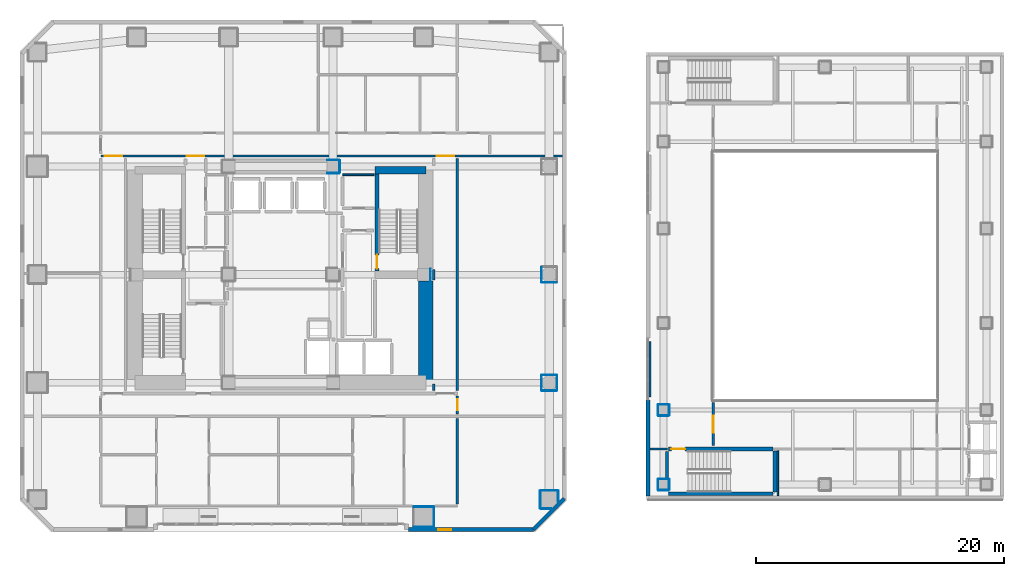
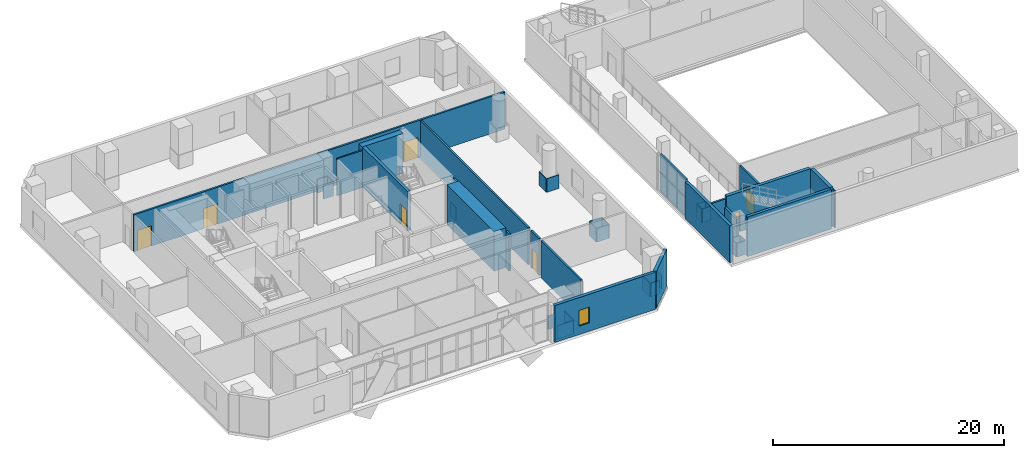
# One storey, part 14 of 20: 46 walls, 7 doors, 1 window, 8 openings.
"""IFC4 building model written with IfcOpenShell, lengths in metres."""

import ifcopenshell
import ifcopenshell.guid

model = None  # the IFC model being written
_history = None  # IfcOwnerHistory: only IFC2X3 demands one
_inside = {}  # id of a spatial element -> (the spatial element, [elements in it])
_under = {}  # id of a project, library or spatial element -> (it, [spatial elements below it])
_declared = {}  # id of a project -> (the project, [libraries it declares])
_typed = {}  # id of a type object -> (the type object, [elements of that type])
_made_of = {}  # id of a material, layer set ... -> (it, [elements and type objects made of it])


def new_model(schema):
    """Start an empty IFC model of exactly this schema.

    Asked for "IFC4X3", IfcOpenShell would pick the latest addendum, in which some entities
    have other attributes; the version numbers below select the first issue.
    IFC2X3 requires an IfcOwnerHistory on every rooted entity: one is made here for all.
    """
    global model, _history
    if schema == "IFC4X3":
        model = ifcopenshell.file(schema_version=(4, 3, 0, 0))
    else:
        model = ifcopenshell.file(schema=schema)
    _inside.clear()
    _under.clear()
    _declared.clear()
    _typed.clear()
    _made_of.clear()
    _history = None
    if model.schema == "IFC2X3":
        org = make("IfcOrganization", Name="unknown")
        user = make(
            "IfcPersonAndOrganization",
            ThePerson=make("IfcPerson", FamilyName="unknown"),
            TheOrganization=org,
        )
        app = make(
            "IfcApplication",
            ApplicationDeveloper=org,
            Version="unknown",
            ApplicationFullName="unknown",
            ApplicationIdentifier="unknown",
        )
        _history = make(
            "IfcOwnerHistory",
            OwningUser=user,
            OwningApplication=app,
            ChangeAction="ADDED",
            CreationDate=0,
        )
    return model


def make(cls, **values):
    """One entity of the class cls with the attributes given. An attribute that is None is left unset."""
    return model.create_entity(
        cls, **{name: value for name, value in values.items() if value is not None}
    )


def rooted(cls, **values):
    """An entity with a GlobalId (a new one), such as an element, a storey or a relation."""
    return make(cls, GlobalId=ifcopenshell.guid.new(), OwnerHistory=_history, **values)


def si_unit(unit_type, name, prefix=None):
    """IfcSIUnit, for example si_unit("LENGTHUNIT", "METRE", prefix="MILLI")."""
    return make("IfcSIUnit", UnitType=unit_type, Prefix=prefix, Name=name)


def assignment(units):
    """IfcUnitAssignment: the units of a project."""
    return None if units is None else make("IfcUnitAssignment", Units=units)


def point(xyz):
    """IfcCartesianPoint."""
    return None if xyz is None else make("IfcCartesianPoint", Coordinates=xyz)


def direction(xyz):
    """IfcDirection."""
    return None if xyz is None else make("IfcDirection", DirectionRatios=xyz)


def frame(location, z_axis=None, x_axis=None):
    """IfcAxis2Placement3D, a coordinate frame: its origin and axes. An axis left out is left unset."""
    return make(
        "IfcAxis2Placement3D",
        Location=point(location),
        Axis=direction(z_axis),
        RefDirection=direction(x_axis),
    )


def frame_2d(location, x_axis=None):
    """IfcAxis2Placement2D, a coordinate frame in the plane: its origin and x axis."""
    return make(
        "IfcAxis2Placement2D", Location=point(location), RefDirection=direction(x_axis)
    )


def origin():
    """The frame at (0, 0, 0) with its axes left unset."""
    return frame((0.0, 0.0, 0.0))


def place(relative_to, where):
    """IfcLocalPlacement: puts the frame where relative to a parent placement (None: the world)."""
    return make(
        "IfcLocalPlacement", PlacementRelTo=relative_to, RelativePlacement=where
    )


def context(
    kind, dimensions, precision=None, world=None, true_north=None, identifier=None
):
    """IfcGeometricRepresentationContext, for example the 3D "Model" context."""
    return make(
        "IfcGeometricRepresentationContext",
        ContextIdentifier=identifier,
        ContextType=kind,
        CoordinateSpaceDimension=dimensions,
        Precision=precision,
        WorldCoordinateSystem=world,
        TrueNorth=true_north,
    )


def subcontext(parent, identifier, kind, view, scale=None):
    """IfcGeometricRepresentationSubContext, for example "Body" below "Model"."""
    return make(
        "IfcGeometricRepresentationSubContext",
        ContextIdentifier=identifier,
        ContextType=kind,
        ParentContext=parent,
        TargetScale=scale,
        TargetView=view,
    )


def project(units=None, contexts=None):
    """IfcProject with its units and contexts."""
    return rooted(
        "IfcProject",
        Name="project",
        RepresentationContexts=contexts,
        UnitsInContext=assignment(units),
    )


def spatial(cls, under=None, at=None, **own):
    """A site, building, storey or space (cls), placed at a placement, below another one or the project."""
    s = rooted(cls, ObjectPlacement=at, **own)
    if under is not None:
        _under.setdefault(under.id(), (under, []))[1].append(s)
    return s


def profile(cls, at=None, kind="AREA", **sizes):
    """A parametric profile (cls). Its sizes go by their IFC names, for example OverallWidth=200.0."""
    return make(cls, ProfileType=kind, Position=at, **sizes)


def rectangle(**sizes):
    """IfcRectangleProfileDef."""
    return profile("IfcRectangleProfileDef", **sizes)


def extrude(swept, where, along, depth):
    """IfcExtrudedAreaSolid: the profile swept, set in the frame where, extruded along a direction by depth."""
    return make(
        "IfcExtrudedAreaSolid",
        SweptArea=swept,
        Position=where,
        ExtrudedDirection=direction(along),
        Depth=depth,
    )


def shape(context_of_items, identifier, shape_type, items):
    """IfcShapeRepresentation: the items that make up one representation, for example the "Body"."""
    return make(
        "IfcShapeRepresentation",
        ContextOfItems=context_of_items,
        RepresentationIdentifier=identifier,
        RepresentationType=shape_type,
        Items=items,
    )


def material(Name=None, Category=None):
    """IfcMaterial."""
    return make("IfcMaterial", Name=Name, Category=Category)


def layer(
    of_material, thickness, ventilated=None, Name=None, Category=None, Priority=None
):
    """IfcMaterialLayer: one layer of a wall or slab, of a material (None: an air gap)."""
    return make(
        "IfcMaterialLayer",
        Material=of_material,
        LayerThickness=thickness,
        IsVentilated=ventilated,
        Name=Name,
        Category=Category,
        Priority=Priority,
    )


def layer_set(layers, Name=None):
    """IfcMaterialLayerSet."""
    return make("IfcMaterialLayerSet", MaterialLayers=layers, LayerSetName=Name)


def made_of(thing, what):
    """Note that an element or type object is made of a material, layer set ...; save() writes the relation."""
    if what is not None:
        _made_of.setdefault(what.id(), (what, []))[1].append(thing)
    return thing


def type_object(cls, material=None, **own):
    """A type object (cls), such as IfcWallType, which elements share."""
    return made_of(rooted(cls, **own), material)


def element(
    cls,
    number,
    at=None,
    inside=None,
    cuts=None,
    type_object=None,
    material=None,
    context=None,
    identifier="Body",
    shape_type=None,
    held_by="IfcProductDefinitionShape",
    body=None,
    shapes=None,
    **own,
):
    """One element of the class cls, such as IfcWall. Its Tag is "e" and its number.

    at: its placement. inside: the storey or other place that contains it. cuts: it is an
    opening in that element (IfcRelVoidsElement). A single representation is given by context,
    identifier, shape_type and body (its items); several are given by shapes. held_by: the class
    of the entity that holds the representations. save() writes the other relations.
    """
    e = rooted(cls, Tag="e%d" % number, ObjectPlacement=at, **own)
    if body is not None:
        shapes = [shape(context, identifier, shape_type, body)]
    if shapes is not None:
        e.Representation = make(held_by, Representations=shapes)
    if inside is not None:
        _inside.setdefault(inside.id(), (inside, []))[1].append(e)
    if cuts is not None:
        rooted(
            "IfcRelVoidsElement", RelatingBuildingElement=cuts, RelatedOpeningElement=e
        )
    if type_object is not None:
        _typed.setdefault(type_object.id(), (type_object, []))[1].append(e)
    return made_of(e, material)


def fill(opening, filler):
    """IfcRelFillsElement: the door or window that sits in an opening."""
    return rooted(
        "IfcRelFillsElement",
        RelatingOpeningElement=opening,
        RelatedBuildingElement=filler,
    )


def aggregate(whole, parts):
    """IfcRelAggregates: a whole, such as a stair, and the parts it consists of."""
    return rooted("IfcRelAggregates", RelatingObject=whole, RelatedObjects=parts)


def save(model, path):
    """Write the relations noted so far, then the file.

    IfcRelAggregates (storeys below a building ...), IfcRelContainedInSpatialStructure (elements
    in a storey), IfcRelDefinesByType, IfcRelAssociatesMaterial and IfcRelDeclares: one each for
    every whole, place, type object, material and project.
    """
    for whole, parts in _under.values():
        aggregate(whole, parts)
    for where, things in _inside.values():
        rooted(
            "IfcRelContainedInSpatialStructure",
            RelatedElements=things,
            RelatingStructure=where,
        )
    for kind, things in _typed.values():
        rooted("IfcRelDefinesByType", RelatedObjects=things, RelatingType=kind)
    for what, things in _made_of.values():
        rooted("IfcRelAssociatesMaterial", RelatedObjects=things, RelatingMaterial=what)
    for by, libraries in _declared.values():
        rooted("IfcRelDeclares", RelatingContext=by, RelatedDefinitions=libraries)
    model.write(path)


model = new_model("IFC4")

# Units and contexts
model_context = context("Model", 3, precision=1e-05, world=origin(), true_north=direction((0.0, 1.0)))
body_context = subcontext(model_context, "Body", "Model", "MODEL_VIEW")
ifc_project = project(units=[si_unit("LENGTHUNIT", "METRE"), si_unit("AREAUNIT", "SQUARE_METRE"), si_unit("VOLUMEUNIT", "CUBIC_METRE"), si_unit("PLANEANGLEUNIT", "RADIAN"), si_unit("MASSUNIT", "GRAM", prefix="KILO")], contexts=[model_context])

# Site, building, storey
site_placement = place(None, origin())
site = spatial("IfcSite", under=ifc_project, at=site_placement, CompositionType="ELEMENT")
building_placement = place(site_placement, origin())
building = spatial("IfcBuilding", under=site, at=building_placement, Name="Solanera Arch Residences", CompositionType="ELEMENT")
storey_placement = place(building_placement, frame((0.0, 0.0, 9.39990234375)))
storey = spatial("IfcBuildingStorey", under=building, at=storey_placement, Name="L02", CompositionType="ELEMENT", Elevation=9.39990234375)

# Walls
ifc_material_1 = material(Name="Fire-Rated Gypsum Stud Partition", Category="gypsum")
ifc_layer_1 = layer(ifc_material_1, 0.06005859375)
ifc_layer_set_1 = layer_set([ifc_layer_1], Name="Fire-Rated Gypsum Stud Partition")
wall_type_1 = type_object("IfcWallType", Name="Column Acoustic Furring Wall 60", PredefinedType="PARTITIONING", material=ifc_layer_set_1)
for number, where, z_axis, x_axis, name in (
    (1, (28.7099609375, 38.867919921875, 0.0), (0.0, 0.0, 1.0), (1.0, 0.0, 0.0), "L02 Column Furring 4S"),
    (2, (28.7099609375, 39.931884765625, 0.0), (0.0, 0.0, 1.0), (1.0, 0.0, 0.0), "L02 Column Furring 4N"),
):
    element("IfcWall", number, at=place(storey_placement, frame(where, z_axis=z_axis, x_axis=x_axis)), inside=storey, type_object=wall_type_1, Name=name, PredefinedType="PARTITIONING", context=body_context, shape_type="SweptSolid", body=[
        extrude(rectangle(XDim=0.989990234375, YDim=0.06005859375, at=frame_2d((0.4951171875, 0.0))), origin(), (0.0, 0.0, 1.0), 1.4501953125),
    ])
wall_1_placement = place(storey_placement, frame((29.73193359375, 38.89990234375, 0.0), z_axis=(0.0, 0.0, 1.0), x_axis=(0.0, 1.0, 0.0)))
element("IfcWall", 3, at=wall_1_placement, inside=storey, type_object=wall_type_1, Name="L02 Column Furring 4E", PredefinedType="PARTITIONING", context=body_context, shape_type="SweptSolid", body=[
    extrude(rectangle(XDim=1.0, YDim=0.06005859375, at=frame_2d((0.5, 0.0))), origin(), (0.0, 0.0, 1.0), 1.4501953125),
])
wall_2_placement = place(storey_placement, frame((37.031982421875, 30.2099609375, 0.0), z_axis=(0.0, 0.0, 1.0), x_axis=(0.0, 1.0, 0.0)))
element("IfcWall", 4, at=wall_2_placement, inside=storey, type_object=wall_type_1, Name="L02 Column Furring 6E", PredefinedType="PARTITIONING", context=body_context, shape_type="SweptSolid", body=[
    extrude(rectangle(XDim=0.97998046875, YDim=0.06005859375, at=frame_2d((0.489990234375, 0.0))), origin(), (0.0, 0.0, 1.0), 1.4501953125),
])
for number, where, z_axis, x_axis, name in (
    (5, (35.699951171875, 10.367919921875, 0.0), (0.0, 0.0, 1.0), (1.0, 0.0, 0.0), "L02 Column Furring 10S"),
    (6, (35.699951171875, 12.031982421875, 0.0), (0.0, 0.0, 1.0), (1.0, 0.0, 0.0), "L02 Column Furring 10N"),
    (7, (37.33203125, 10.39990234375, 0.0), (0.0, 0.0, 1.0), (0.0, 1.0, 0.0), "L02 Column Furring 10E"),
):
    element("IfcWall", number, at=place(storey_placement, frame(where, z_axis=z_axis, x_axis=x_axis)), inside=storey, type_object=wall_type_1, Name=name, PredefinedType="PARTITIONING", context=body_context, shape_type="SweptSolid", body=[
        extrude(rectangle(XDim=1.60009765625, YDim=0.06005859375, at=frame_2d((0.800048828125, 0.0))), origin(), (0.0, 0.0, 1.0), 1.4501953125),
    ])
for number, where, z_axis, x_axis, name in (
    (8, (46.0, 21.367919921875, 0.0), (0.0, 0.0, 1.0), (1.0, 0.0, 0.0), "L02 Column Furring 18S"),
    (9, (46.0, 22.632080078125, 0.0), (0.0, 0.0, 1.0), (1.0, 0.0, 0.0), "L02 Column Furring 18N"),
):
    element("IfcWall", number, at=place(storey_placement, frame(where, z_axis=z_axis, x_axis=x_axis)), inside=storey, type_object=wall_type_1, Name=name, PredefinedType="PARTITIONING", context=body_context, shape_type="SweptSolid", body=[
        extrude(rectangle(XDim=1.199951171875, YDim=0.06005859375, at=frame_2d((0.60009765625, 0.0))), origin(), (0.0, 0.0, 1.0), 1.4501953125),
    ])
for number, where, z_axis, x_axis, name in (
    (10, (45.968017578125, 21.39990234375, 0.0), (0.0, 0.0, 1.0), (0.0, 1.0, 0.0), "L02 Column Furring 18W"),
    (11, (47.23193359375, 21.39990234375, 0.0), (0.0, 0.0, 1.0), (0.0, 1.0, 0.0), "L02 Column Furring 18E"),
):
    element("IfcWall", number, at=place(storey_placement, frame(where, z_axis=z_axis, x_axis=x_axis)), inside=storey, type_object=wall_type_1, Name=name, PredefinedType="PARTITIONING", context=body_context, shape_type="SweptSolid", body=[
        extrude(rectangle(XDim=1.2001953125, YDim=0.06005859375, at=frame_2d((0.60009765625, 0.0))), origin(), (0.0, 0.0, 1.0), 1.4501953125),
    ])
for number, where, z_axis, x_axis, name in (
    (12, (46.0, 30.068115234375, 0.0), (0.0, 0.0, 1.0), (1.0, 0.0, 0.0), "L02 Column Furring 19S"),
    (13, (45.968017578125, 30.10009765625, 0.0), (0.0, 0.0, 1.0), (0.0, 1.0, 0.0), "L02 Column Furring 19W"),
):
    element("IfcWall", number, at=place(storey_placement, frame(where, z_axis=z_axis, x_axis=x_axis)), inside=storey, type_object=wall_type_1, Name=name, PredefinedType="PARTITIONING", context=body_context, shape_type="SweptSolid", body=[
        extrude(rectangle(XDim=1.199951171875, YDim=0.06005859375, at=frame_2d((0.60009765625, 0.0))), origin(), (0.0, 0.0, 1.0), 1.4501953125),
    ])
wall_3_placement = place(storey_placement, frame((45.89990234375, 11.867919921875, 0.0), z_axis=(0.0, 0.0, 1.0), x_axis=(1.0, 0.0, 0.0)))
element("IfcWall", 14, at=wall_3_placement, inside=storey, type_object=wall_type_1, Name="L02 Column Furring 22S", PredefinedType="PARTITIONING", context=body_context, shape_type="SweptSolid", body=[
    extrude(rectangle(XDim=0.861083984375, YDim=0.06005859375, at=frame_2d((0.4306640625, 0.0))), origin(), (0.0, 0.0, 1.0), 1.4501953125),
])
for number, where, z_axis, x_axis, name in (
    (15, (45.89990234375, 13.33203125, 0.0), (0.0, 0.0, 1.0), (1.0, 0.0, 0.0), "L02 Column Furring 22N"),
    (16, (45.867919921875, 11.89990234375, 0.0), (0.0, 0.0, 1.0), (0.0, 1.0, 0.0), "L02 Column Furring 22W"),
):
    element("IfcWall", number, at=place(storey_placement, frame(where, z_axis=z_axis, x_axis=x_axis)), inside=storey, type_object=wall_type_1, Name=name, PredefinedType="PARTITIONING", context=body_context, shape_type="SweptSolid", body=[
        extrude(rectangle(XDim=1.400146484375, YDim=0.06005859375, at=frame_2d((0.7001953125, 0.0))), origin(), (0.0, 0.0, 1.0), 1.4501953125),
    ])
wall_4_placement = place(storey_placement, frame((47.33203125, 12.43896484375, 0.0), z_axis=(0.0, 0.0, 1.0), x_axis=(0.0, 1.0, 0.0)))
element("IfcWall", 17, at=wall_4_placement, inside=storey, type_object=wall_type_1, Name="L02 Column Furring 22E", PredefinedType="PARTITIONING", context=body_context, shape_type="SweptSolid", body=[
    extrude(rectangle(XDim=0.861083984375, YDim=0.06005859375, at=frame_2d((0.4306640625, 0.0))), origin(), (0.0, 0.0, 1.0), 1.4501953125),
])
for number, where, z_axis, x_axis, name in (
    (18, (55.375, 13.343017578125, 0.0), (0.0, 0.0, 1.0), (1.0, 0.0, 0.0), "L02 Column Furring 25S"),
    (19, (55.375, 14.257080078125, 0.0), (0.0, 0.0, 1.0), (1.0, 0.0, 0.0), "L02 Column Furring 25N"),
    (20, (55.343017578125, 13.375, 0.0), (0.0, 0.0, 1.0), (0.0, 1.0, 0.0), "L02 Column Furring 25W"),
    (21, (56.257080078125, 13.375, 0.0), (0.0, 0.0, 1.0), (0.0, 1.0, 0.0), "L02 Column Furring 25E"),
    (22, (55.375, 19.343017578125, 0.0), (0.0, 0.0, 1.0), (1.0, 0.0, 0.0), "L02 Column Furring 26S"),
    (23, (55.375, 20.257080078125, 0.0), (0.0, 0.0, 1.0), (1.0, 0.0, 0.0), "L02 Column Furring 26N"),
    (24, (55.343017578125, 19.375, 0.0), (0.0, 0.0, 1.0), (0.0, 1.0, 0.0), "L02 Column Furring 26W"),
    (25, (56.257080078125, 19.375, 0.0), (0.0, 0.0, 1.0), (0.0, 1.0, 0.0), "L02 Column Furring 26E"),
):
    element("IfcWall", number, at=place(storey_placement, frame(where, z_axis=z_axis, x_axis=x_axis)), inside=storey, type_object=wall_type_1, Name=name, PredefinedType="PARTITIONING", context=body_context, shape_type="SweptSolid", body=[
        extrude(rectangle(XDim=0.85009765625, YDim=0.06005859375, at=frame_2d((0.425048828125, 0.0))), origin(), (0.0, 0.0, 1.0), 1.4501953125),
    ])
ifc_material_2 = material(Name="Concrete C55/67 (f'c = 60 MPa)", Category="concrete")
ifc_layer_2 = layer(ifc_material_2, 1.199951171875)
ifc_layer_set_2 = layer_set([ifc_layer_2], Name="Concrete C55/67 (f'c = 60 MPa)")
wall_type_2 = type_object("IfcWallType", Name="Core Shear Wall CW-1200", PredefinedType="SHEAR", material=ifc_layer_set_2)
wall_5_placement = place(storey_placement, frame((36.659912109375, 22.0, 0.0), z_axis=(0.0, 0.0, 1.0), x_axis=(0.0, 1.0, 0.0)))
element("IfcWall", 26, at=wall_5_placement, inside=storey, type_object=wall_type_2, Name="L02 East Core South Shear Wall", PredefinedType="SHEAR", context=body_context, shape_type="SweptSolid", body=[
    extrude(rectangle(XDim=8.195068359375, YDim=1.199951171875, at=frame_2d((4.09765625, 0.0))), origin(), (0.0, 0.0, 1.0), 4.2001953125),
])

# Wall, opening, door
ifc_material_3 = material(Name="Concrete C40/50 (f'c = 45 MPa)", Category="concrete")
ifc_layer_3 = layer(ifc_material_3, 0.320068359375)
ifc_layer_set_3 = layer_set([ifc_layer_3], Name="Concrete C40/50 (f'c = 45 MPa)")
wall_type_3 = type_object("IfcWallType", Name="Core Shear Wall CW-320", PredefinedType="SHEAR", material=ifc_layer_set_3)
wall_6_placement = place(storey_placement, frame((32.739990234375, 31.0, 0.0), z_axis=(0.0, 0.0, 1.0), x_axis=(0.0, 1.0, 0.0)))
wall_6 = element("IfcWall", 27, at=wall_6_placement, inside=storey, type_object=wall_type_3, Name="L02 Stair ST-T2 West Shear Wall", PredefinedType="SHEAR", context=body_context, shape_type="SweptSolid", body=[
    extrude(rectangle(XDim=7.800048828125, YDim=0.320068359375, at=frame_2d((3.89990234375, 0.0))), origin(), (0.0, 0.0, 1.0), 4.2001953125),
])
opening_1_placement = place(wall_6_placement, frame((0.18994140625, 0.0, 0.0)))
opening_1 = element("IfcOpeningElement", 28, at=opening_1_placement, cuts=wall_6, Name="Opening DF-01", PredefinedType="OPENING", context=body_context, shape_type="SweptSolid", body=[
    extrude(rectangle(XDim=1.10009765625, YDim=2.14990234375, at=frame_2d((0.550048828125, 1.074951171875))), frame((0.0, 0.169921875, 0.0), z_axis=(0.0, -1.0, 0.0), x_axis=(1.0, 0.0, 0.0)), (0.0, 0.0, 1.0), 0.3401),
])
ifc_material_4 = material(Name="Fire-Rated Architectural Hardwood", Category="wood")
door_type_1 = type_object("IfcDoorType", Name="Stair Exit Fire Door DF-01", OperationType="NOTDEFINED", PredefinedType="DOOR", material=ifc_material_4)
door_1_placement = place(opening_1_placement, origin())
door_1 = element("IfcDoor", 29, at=door_1_placement, inside=storey, type_object=door_type_1, Name="DR-L02-STAIR-ST-T2", OperationType="SINGLE_SWING_LEFT", OverallHeight=2.14990234375, OverallWidth=1.10009765625, PredefinedType="DOOR", context=body_context, shape_type="SweptSolid", body=[
    extrude(rectangle(XDim=1.10009765625, YDim=2.14990234375, at=frame_2d((0.550048828125, 1.074951171875))), frame((0.0, 0.02490234375, 0.0), z_axis=(0.0, -1.0, 0.0), x_axis=(1.0, 0.0, 0.0)), (0.0, 0.0, 1.0), 0.050048828125),
])
fill(opening_1, door_1)

# Walls
wall_7_placement = place(storey_placement, frame((64.760009765625, 13.199951171875, 0.0), z_axis=(0.0, 0.0, 1.0), x_axis=(0.0, 1.0, 0.0)))
element("IfcWall", 30, at=wall_7_placement, inside=storey, type_object=wall_type_3, Name="L02 Stair ST-H1 East Shear Wall", PredefinedType="SHEAR", context=body_context, shape_type="SweptSolid", body=[
    extrude(rectangle(XDim=3.320068359375, YDim=0.320068359375, at=frame_2d((1.66015625, 0.0))), origin(), (0.0, 0.0, 1.0), 4.2001953125),
])
wall_8_placement = place(storey_placement, frame((56.199951171875, 13.06005859375, 0.0), z_axis=(0.0, 0.0, 1.0), x_axis=(1.0, 0.0, 0.0)))
element("IfcWall", 31, at=wall_8_placement, inside=storey, type_object=wall_type_3, Name="L02 Stair ST-H1 South Shear Wall", PredefinedType="SHEAR", context=body_context, shape_type="SweptSolid", body=[
    extrude(rectangle(XDim=8.400146484375, YDim=0.280029296875, at=frame_2d((4.2001953125, 0.0))), origin(), (0.0, 0.0, 1.0), 4.2001953125),
])

# Wall, opening, door
wall_9_placement = place(storey_placement, frame((56.199951171875, 16.679931640625, 0.0), z_axis=(0.0, 0.0, 1.0), x_axis=(1.0, 0.0, 0.0)))
wall_9 = element("IfcWall", 32, at=wall_9_placement, inside=storey, type_object=wall_type_3, Name="L02 Stair ST-H1 North Shear Wall", PredefinedType="SHEAR", context=body_context, shape_type="SweptSolid", body=[
    extrude(rectangle(XDim=8.400146484375, YDim=0.320068359375, at=frame_2d((4.2001953125, 0.0))), origin(), (0.0, 0.0, 1.0), 4.2001953125),
])
opening_2_placement = place(wall_9_placement, frame((0.22998046875, 0.0, 0.0)))
opening_2 = element("IfcOpeningElement", 33, at=opening_2_placement, cuts=wall_9, Name="Opening DF-01", PredefinedType="OPENING", context=body_context, shape_type="SweptSolid", body=[
    extrude(rectangle(XDim=1.10009765625, YDim=2.14990234375, at=frame_2d((0.550048828125, 1.074951171875))), frame((0.0, 0.169921875, 0.0), z_axis=(0.0, -1.0, 0.0), x_axis=(1.0, 0.0, 0.0)), (0.0, 0.0, 1.0), 0.3401),
])
door_2_placement = place(opening_2_placement, origin())
door_2 = element("IfcDoor", 34, at=door_2_placement, inside=storey, type_object=door_type_1, Name="DR-L02-STAIR-ST-H1", OperationType="SINGLE_SWING_LEFT", OverallHeight=2.14990234375, OverallWidth=1.10009765625, PredefinedType="DOOR", context=body_context, shape_type="SweptSolid", body=[
    extrude(rectangle(XDim=1.10009765625, YDim=2.14990234375, at=frame_2d((0.550048828125, 1.074951171875))), frame((0.0, 0.02490234375, 0.0), z_axis=(0.0, -1.0, 0.0), x_axis=(1.0, 0.0, 0.0)), (0.0, 0.0, 1.0), 0.050048828125),
])
fill(opening_2, door_2)

# Walls
ifc_material_5 = material(Name="Concrete C40/50 (f'c = 45 MPa)", Category="concrete")
ifc_layer_4 = layer(ifc_material_5, 0.60009765625)
ifc_layer_set_4 = layer_set([ifc_layer_4], Name="Concrete C40/50 (f'c = 45 MPa)")
wall_type_4 = type_object("IfcWallType", Name="Core Shear Wall CW-600", PredefinedType="SHEAR", material=ifc_layer_set_4)
wall_10_placement = place(storey_placement, frame((32.580078125, 39.10009765625, 0.0), z_axis=(0.0, 0.0, 1.0), x_axis=(1.0, 0.0, 0.0)))
element("IfcWall", 35, at=wall_10_placement, inside=storey, type_object=wall_type_4, Name="L02 North-East Core Shear Wall", PredefinedType="SHEAR", context=body_context, shape_type="SweptSolid", body=[
    extrude(rectangle(XDim=4.079833984375, YDim=0.60009765625, at=frame_2d((2.0400390625, 0.0))), origin(), (0.0, 0.0, 1.0), 4.2001953125),
])
ifc_material_6 = material(Name="Autoclaved Aerated Concrete Blockwork", Category="masonry")
ifc_layer_5 = layer(ifc_material_6, 0.179931640625)
ifc_layer_set_5 = layer_set([ifc_layer_5], Name="Autoclaved Aerated Concrete Blockwork")
wall_type_5 = type_object("IfcWallType", Name="Corridor Fire Partition 180", PredefinedType="PARTITIONING", material=ifc_layer_set_5)
wall_11_placement = place(storey_placement, frame((54.7119140625, 16.679931640625, 0.0), z_axis=(0.0, 0.0, 1.0), x_axis=(1.0, 0.0, 0.0)))
element("IfcWall", 36, at=wall_11_placement, inside=storey, type_object=wall_type_5, Name="L02 Interior Partition H8 1", PredefinedType="PARTITIONING", context=body_context, shape_type="SweptSolid", body=[
    extrude(rectangle(XDim=1.38818359375, YDim=0.179931640625, at=frame_2d((0.694091796875, 0.0))), origin(), (0.0, 0.0, 1.0), 3.920166015625),
])

# Wall, openings, doors
wall_12_placement = place(storey_placement, frame((10.5, 40.25, 0.0), z_axis=(0.0, 0.0, 1.0), x_axis=(1.0, 0.0, 0.0)))
wall_12 = element("IfcWall", 37, at=wall_12_placement, inside=storey, type_object=wall_type_5, Name="L02 Interior Partition H13", PredefinedType="PARTITIONING", context=body_context, shape_type="SweptSolid", body=[
    extrude(rectangle(XDim=37.14794921875, YDim=0.179931640625, at=frame_2d((18.573974609375, 0.0))), origin(), (0.0, 0.0, 1.0), 3.920166015625),
])
opening_3_placement = place(wall_12_placement, frame((6.93505859375, 0.0, 0.0)))
opening_3 = element("IfcOpeningElement", 38, at=opening_3_placement, cuts=wall_12, Name="Opening DF-03", PredefinedType="OPENING", context=body_context, shape_type="SweptSolid", body=[
    extrude(rectangle(XDim=1.39990234375, YDim=2.14990234375, at=frame_2d((0.699951171875, 1.074951171875))), frame((0.0, 0.10009765625, 0.0), z_axis=(0.0, -1.0, 0.0), x_axis=(1.0, 0.0, 0.0)), (0.0, 0.0, 1.0), 0.1999),
])
opening_4_placement = place(wall_12_placement, frame((0.323974609375, 0.0, 0.0)))
opening_4 = element("IfcOpeningElement", 39, at=opening_4_placement, cuts=wall_12, Name="Opening DF-03", PredefinedType="OPENING", context=body_context, shape_type="SweptSolid", body=[
    extrude(rectangle(XDim=1.39990234375, YDim=2.14990234375, at=frame_2d((0.699951171875, 1.074951171875))), frame((0.0, 0.10009765625, 0.0), z_axis=(0.0, -1.0, 0.0), x_axis=(1.0, 0.0, 0.0)), (0.0, 0.0, 1.0), 0.1999),
])
opening_5_placement = place(wall_12_placement, frame((27.050048828125, 0.0, 0.0)))
opening_5 = element("IfcOpeningElement", 40, at=opening_5_placement, cuts=wall_12, Name="Opening DF-03", PredefinedType="OPENING", context=body_context, shape_type="SweptSolid", body=[
    extrude(rectangle(XDim=1.39990234375, YDim=2.14990234375, at=frame_2d((0.699951171875, 1.074951171875))), frame((0.0, 0.10009765625, 0.0), z_axis=(0.0, -1.0, 0.0), x_axis=(1.0, 0.0, 0.0)), (0.0, 0.0, 1.0), 0.1999),
])
ifc_material_7 = material(Name="Fire-Rated Architectural Hardwood", Category="wood")
door_type_2 = type_object("IfcDoorType", Name="Corridor Smoke Door DF-03", OperationType="NOTDEFINED", PredefinedType="DOOR", material=ifc_material_7)
door_3_placement = place(opening_3_placement, origin())
door_3 = element("IfcDoor", 41, at=door_3_placement, inside=storey, type_object=door_type_2, Name="DR-L02-IN-013", OperationType="SINGLE_SWING_RIGHT", OverallHeight=2.14990234375, OverallWidth=1.39990234375, PredefinedType="DOOR", context=body_context, shape_type="SweptSolid", body=[
    extrude(rectangle(XDim=1.39990234375, YDim=2.14990234375, at=frame_2d((0.699951171875, 1.074951171875))), frame((0.0, 0.02490234375, 0.0), z_axis=(0.0, -1.0, 0.0), x_axis=(1.0, 0.0, 0.0)), (0.0, 0.0, 1.0), 0.050048828125),
])
fill(opening_3, door_3)
door_4_placement = place(opening_4_placement, origin())
door_4 = element("IfcDoor", 42, at=door_4_placement, inside=storey, type_object=door_type_2, Name="DR-L02-IN-016", OperationType="SINGLE_SWING_LEFT", OverallHeight=2.14990234375, OverallWidth=1.39990234375, PredefinedType="DOOR", context=body_context, shape_type="SweptSolid", body=[
    extrude(rectangle(XDim=1.39990234375, YDim=2.14990234375, at=frame_2d((0.699951171875, 1.074951171875))), frame((0.0, 0.02490234375, 0.0), z_axis=(0.0, -1.0, 0.0), x_axis=(1.0, 0.0, 0.0)), (0.0, 0.0, 1.0), 0.050048828125),
])
fill(opening_4, door_4)
door_5_placement = place(opening_5_placement, origin())
door_5 = element("IfcDoor", 43, at=door_5_placement, inside=storey, type_object=door_type_2, Name="DR-L02-IN-017", OperationType="SINGLE_SWING_RIGHT", OverallHeight=2.14990234375, OverallWidth=1.39990234375, PredefinedType="DOOR", context=body_context, shape_type="SweptSolid", body=[
    extrude(rectangle(XDim=1.39990234375, YDim=2.14990234375, at=frame_2d((0.699951171875, 1.074951171875))), frame((0.0, 0.02490234375, 0.0), z_axis=(0.0, -1.0, 0.0), x_axis=(1.0, 0.0, 0.0)), (0.0, 0.0, 1.0), 0.050048828125),
])
fill(opening_5, door_5)

# Walls
wall_13_placement = place(storey_placement, frame((37.300048828125, 21.367919921875, 0.0), z_axis=(0.0, 0.0, 1.0), x_axis=(0.0, 1.0, 0.0)))
element("IfcWall", 44, at=wall_13_placement, inside=storey, type_object=wall_type_5, Name="L02 Interior Partition V9 1", PredefinedType="PARTITIONING", context=body_context, shape_type="SweptSolid", body=[
    extrude(rectangle(XDim=0.5400390625, YDim=0.179931640625, at=frame_2d((0.27001953125, 0.0))), origin(), (0.0, 0.0, 1.0), 3.920166015625),
])
wall_14_placement = place(storey_placement, frame((37.300048828125, 30.287109375, 0.0), z_axis=(0.0, 0.0, 1.0), x_axis=(0.0, 1.0, 0.0)))
element("IfcWall", 45, at=wall_14_placement, inside=storey, type_object=wall_type_5, Name="L02 Interior Partition V9 2", PredefinedType="PARTITIONING", context=body_context, shape_type="SweptSolid", body=[
    extrude(rectangle(XDim=0.825927734375, YDim=0.179931640625, at=frame_2d((0.4130859375, 0.0))), origin(), (0.0, 0.0, 1.0), 3.920166015625),
])
wall_15_placement = place(storey_placement, frame((39.199951171875, 12.258056640625, 0.0), z_axis=(0.0, 0.0, 1.0), x_axis=(0.0, 1.0, 0.0)))
element("IfcWall", 46, at=wall_15_placement, inside=storey, type_object=wall_type_5, Name="L02 Interior Partition V10 1", PredefinedType="PARTITIONING", context=body_context, shape_type="SweptSolid", body=[
    extrude(rectangle(XDim=6.85400390625, YDim=0.179931640625, at=frame_2d((3.427001953125, 0.0))), origin(), (0.0, 0.0, 1.0), 3.920166015625),
])

# Wall, opening, door
wall_16_placement = place(storey_placement, frame((39.199951171875, 19.488037109375, 0.0), z_axis=(0.0, 0.0, 1.0), x_axis=(0.0, 1.0, 0.0)))
wall_16 = element("IfcWall", 47, at=wall_16_placement, inside=storey, type_object=wall_type_5, Name="L02 Interior Partition V10 2", PredefinedType="PARTITIONING", context=body_context, shape_type="SweptSolid", body=[
    extrude(rectangle(XDim=1.44384765625, YDim=0.179931640625, at=frame_2d((0.721923828125, 0.0))), origin(), (0.0, 0.0, 1.0), 3.920166015625),
])
opening_6_placement = place(wall_16_placement, frame((0.301025390625, 0.0, 0.0)))
opening_6 = element("IfcOpeningElement", 48, at=opening_6_placement, cuts=wall_16, Name="Opening DI-02", PredefinedType="OPENING", context=body_context, shape_type="SweptSolid", body=[
    extrude(rectangle(XDim=0.89990234375, YDim=2.10009765625, at=frame_2d((0.449951171875, 1.050048828125))), frame((0.0, 0.10009765625, 0.0), z_axis=(0.0, -1.0, 0.0), x_axis=(1.0, 0.0, 0.0)), (0.0, 0.0, 1.0), 0.1999),
])
ifc_material_8 = material(Name="Fire-Rated Architectural Hardwood", Category="wood")
door_type_3 = type_object("IfcDoorType", Name="Suite Room Swing Door DI-02", OperationType="NOTDEFINED", PredefinedType="DOOR", material=ifc_material_8)
door_6_placement = place(opening_6_placement, origin())
door_6 = element("IfcDoor", 49, at=door_6_placement, inside=storey, type_object=door_type_3, Name="DR-L02-IN-029", OperationType="SINGLE_SWING_RIGHT", OverallHeight=2.10009765625, OverallWidth=0.89990234375, PredefinedType="DOOR", context=body_context, shape_type="SweptSolid", body=[
    extrude(rectangle(XDim=0.89990234375, YDim=2.10009765625, at=frame_2d((0.449951171875, 1.050048828125))), frame((0.0, 0.02490234375, 0.0), z_axis=(0.0, -1.0, 0.0), x_axis=(1.0, 0.0, 0.0)), (0.0, 0.0, 1.0), 0.050048828125),
])
fill(opening_6, door_6)

# Walls
wall_17_placement = place(storey_placement, frame((39.199951171875, 21.367919921875, 0.0), z_axis=(0.0, 0.0, 1.0), x_axis=(0.0, 1.0, 0.0)))
element("IfcWall", 50, at=wall_17_placement, inside=storey, type_object=wall_type_5, Name="L02 Interior Partition V10 3", PredefinedType="PARTITIONING", context=body_context, shape_type="SweptSolid", body=[
    extrude(rectangle(XDim=18.694091796875, YDim=0.179931640625, at=frame_2d((9.34716796875, 0.0))), origin(), (0.0, 0.0, 1.0), 3.920166015625),
])
wall_18_placement = place(storey_placement, frame((54.699951171875, 20.8701171875, 0.0), z_axis=(0.0, 0.0, 1.0), x_axis=(0.0, 1.0, 0.0)))
element("IfcWall", 51, at=wall_18_placement, inside=storey, type_object=wall_type_5, Name="L02 Interior Partition V13 1", PredefinedType="PARTITIONING", context=body_context, shape_type="SweptSolid", body=[
    extrude(rectangle(XDim=4.4599609375, YDim=0.179931640625, at=frame_2d((2.22998046875, 0.0))), origin(), (0.0, 0.0, 1.0), 3.920166015625),
])

# Wall, opening, door
wall_19_placement = place(storey_placement, frame((59.800048828125, 16.93994140625, 0.0), z_axis=(0.0, 0.0, 1.0), x_axis=(0.0, 1.0, 0.0)))
wall_19 = element("IfcWall", 52, at=wall_19_placement, inside=storey, type_object=wall_type_5, Name="L02 Interior Partition V14 1", PredefinedType="PARTITIONING", context=body_context, shape_type="SweptSolid", body=[
    extrude(rectangle(XDim=3.47216796875, YDim=0.179931640625, at=frame_2d((1.736083984375, 0.0))), origin(), (0.0, 0.0, 1.0), 3.920166015625),
])
opening_7_placement = place(wall_19_placement, frame((1.02392578125, 0.0, 0.0)))
opening_7 = element("IfcOpeningElement", 53, at=opening_7_placement, cuts=wall_19, Name="Opening DF-03", PredefinedType="OPENING", context=body_context, shape_type="SweptSolid", body=[
    extrude(rectangle(XDim=1.39990234375, YDim=2.14990234375, at=frame_2d((0.699951171875, 1.074951171875))), frame((0.0, 0.10009765625, 0.0), z_axis=(0.0, -1.0, 0.0), x_axis=(1.0, 0.0, 0.0)), (0.0, 0.0, 1.0), 0.1999),
])
door_7_placement = place(opening_7_placement, origin())
door_7 = element("IfcDoor", 54, at=door_7_placement, inside=storey, type_object=door_type_2, Name="DR-L02-IN-018", OperationType="SINGLE_SWING_LEFT", OverallHeight=2.14990234375, OverallWidth=1.39990234375, PredefinedType="DOOR", context=body_context, shape_type="SweptSolid", body=[
    extrude(rectangle(XDim=1.39990234375, YDim=2.14990234375, at=frame_2d((0.699951171875, 1.074951171875))), frame((0.0, 0.02490234375, 0.0), z_axis=(0.0, -1.0, 0.0), x_axis=(1.0, 0.0, 0.0)), (0.0, 0.0, 1.0), 0.050048828125),
])
fill(opening_7, door_7)

# Walls
ifc_material_9 = material(Name="Precast Concrete C35/45", Category="concrete")
ifc_layer_6 = layer(ifc_material_9, 0.300048828125)
ifc_layer_set_6 = layer_set([ifc_layer_6], Name="Precast Concrete C35/45")
wall_type_6 = type_object("IfcWallType", Name="Exterior Wall Precast Masonry-Frame 300", PredefinedType="STANDARD", material=ifc_layer_set_6)
wall_20_placement = place(storey_placement, frame((54.550048828125, 12.89990234375, 0.0), z_axis=(0.0, 0.0, 1.0), x_axis=(0.0, 1.0, 0.0)))
element("IfcWall", 55, at=wall_20_placement, inside=storey, type_object=wall_type_6, Name="L02 Sports Hall West Pier 1", PredefinedType="STANDARD", context=body_context, shape_type="SweptSolid", body=[
    extrude(rectangle(XDim=7.7001953125, YDim=0.300048828125, at=frame_2d((3.85009765625, 0.0))), origin(), (0.0, 0.0, 1.0), 3.920166015625),
])
ifc_material_10 = material(Name="Precast Concrete C35/45", Category="concrete")
ifc_layer_7 = layer(ifc_material_10, 0.320068359375)
ifc_layer_set_7 = layer_set([ifc_layer_7], Name="Precast Concrete C35/45")
wall_type_7 = type_object("IfcWallType", Name="Exterior Wall Precast Masonry-Frame 320", PredefinedType="STANDARD", material=ifc_layer_set_7)
wall_21_placement = place(storey_placement, frame((47.820068359375, 12.679931640625, 0.0), z_axis=(0.0, 0.0, 1.0), x_axis=(-0.707106781187, -0.707106781187, 0.0)))
element("IfcWall", 56, at=wall_21_placement, inside=storey, type_object=wall_type_7, Name="L02 Podium Precast Masonry-Frame Wall 6", PredefinedType="STANDARD", context=body_context, shape_type="SweptSolid", body=[
    extrude(rectangle(XDim=3.53564453125, YDim=0.320068359375, at=frame_2d((1.767822265625, 0.0))), origin(), (0.0, 0.0, 1.0), 3.920166015625),
])

# Wall, opening, window
wall_22_placement = place(storey_placement, frame((45.320068359375, 10.179931640625, 0.0), z_axis=(0.0, 0.0, 1.0), x_axis=(-1.0, 0.0, 0.0)))
wall_22 = element("IfcWall", 57, at=wall_22_placement, inside=storey, type_object=wall_type_7, Name="L02 Podium South-East Precast Pier Wall", PredefinedType="STANDARD", context=body_context, shape_type="SweptSolid", body=[
    extrude(rectangle(XDim=10.06005859375, YDim=0.320068359375, at=frame_2d((5.030029296875, 0.0))), origin(), (0.0, 0.0, 1.0), 3.920166015625),
])
opening_8_placement = place(wall_22_placement, frame((6.6201171875, 0.0, 0.89990234375)))
opening_8 = element("IfcOpeningElement", 58, at=opening_8_placement, cuts=wall_22, Name="Opening W-07", PredefinedType="OPENING", context=body_context, shape_type="SweptSolid", body=[
    extrude(rectangle(XDim=1.050048828125, YDim=1.64990234375, at=frame_2d((0.52490234375, 0.824951171875))), frame((0.0, 0.169921875, 0.0), z_axis=(0.0, -1.0, 0.0), x_axis=(1.0, 0.0, 0.0)), (0.0, 0.0, 1.0), 0.3401),
])
ifc_material_11 = material(Name="Double Glazed Low-E Laminated Glass", Category="glass")
window_type = type_object("IfcWindowType", Name="Punched Window W-07", PartitioningType="SINGLE_PANEL", PredefinedType="WINDOW", material=ifc_material_11)
window_placement = place(opening_8_placement, origin())
window = element("IfcWindow", 59, at=window_placement, inside=storey, type_object=window_type, Name="L02 Podium South-East Bedroom Window", OverallHeight=1.64990234375, OverallWidth=1.050048828125, PartitioningType="SINGLE_PANEL", PredefinedType="WINDOW", context=body_context, shape_type="SweptSolid", body=[
    extrude(rectangle(XDim=1.050048828125, YDim=1.64990234375, at=frame_2d((0.52490234375, 0.824951171875))), frame((0.0, 0.030029296875, 0.0), z_axis=(0.0, -1.0, 0.0), x_axis=(1.0, 0.0, 0.0)), (0.0, 0.0, 1.0), 0.06005859375),
])
fill(opening_8, window)

# Walls
ifc_material_12 = material(Name="Autoclaved Aerated Concrete Blockwork", Category="masonry")
ifc_layer_8 = layer(ifc_material_12, 0.239990234375)
ifc_layer_set_8 = layer_set([ifc_layer_8], Name="Autoclaved Aerated Concrete Blockwork")
wall_type_8 = type_object("IfcWallType", Name="Shaft Wall Fire-Rated 240", PredefinedType="PARTITIONING", material=ifc_layer_set_8)
wall_23_placement = place(storey_placement, frame((56.080078125, 14.35693359375, 0.0), z_axis=(0.0, 0.0, 1.0), x_axis=(0.0, 1.0, 0.0)))
element("IfcWall", 60, at=wall_23_placement, inside=storey, type_object=wall_type_8, Name="L02 Stair ST-H1 West Wall", PredefinedType="PARTITIONING", context=body_context, shape_type="SweptSolid", body=[
    extrude(rectangle(XDim=2.113037109375, YDim=0.239990234375, at=frame_2d((1.056640625, 0.0))), origin(), (0.0, 0.0, 1.0), 3.155029296875),
])
ifc_material_13 = material(Name="Fire-Rated Gypsum Stud Partition", Category="gypsum")
ifc_layer_9 = layer(ifc_material_13, 0.1201171875)
ifc_layer_set_9 = layer_set([ifc_layer_9], Name="Fire-Rated Gypsum Stud Partition")
wall_type_9 = type_object("IfcWallType", Name="Unit Drywall Partition 120", PredefinedType="PARTITIONING", material=ifc_layer_set_9)
wall_24_placement = place(storey_placement, frame((65.0, 12.912109375, 0.0), z_axis=(0.0, 0.0, 1.0), x_axis=(0.0, 1.0, 0.0)))
element("IfcWall", 61, at=wall_24_placement, inside=storey, type_object=wall_type_9, Name="L02 Interior Partition V30", PredefinedType="PARTITIONING", context=body_context, shape_type="SweptSolid", body=[
    extrude(rectangle(XDim=3.60986328125, YDim=0.1201171875, at=frame_2d((1.804931640625, 0.0))), origin(), (0.0, 0.0, 1.0), 3.920166015625),
])
ifc_material_14 = material(Name="Autoclaved Aerated Concrete Blockwork", Category="masonry")
ifc_layer_10 = layer(ifc_material_14, 0.139892578125)
ifc_layer_set_10 = layer_set([ifc_layer_10], Name="Autoclaved Aerated Concrete Blockwork")
wall_type_10 = type_object("IfcWallType", Name="Wet-Room Partition 140", PredefinedType="PARTITIONING", material=ifc_layer_set_10)
wall_25_placement = place(storey_placement, frame((29.97509765625, 38.75, 0.0), z_axis=(0.0, 0.0, 1.0), x_axis=(1.0, 0.0, 0.0)))
element("IfcWall", 62, at=wall_25_placement, inside=storey, type_object=wall_type_10, Name="L02 Interior Partition H20", PredefinedType="PARTITIONING", context=body_context, shape_type="SweptSolid", body=[
    extrude(rectangle(XDim=2.52490234375, YDim=0.139892578125, at=frame_2d((1.262451171875, 0.0))), origin(), (0.0, 0.0, 1.0), 3.920166015625),
])

save(model, "model.ifc")
